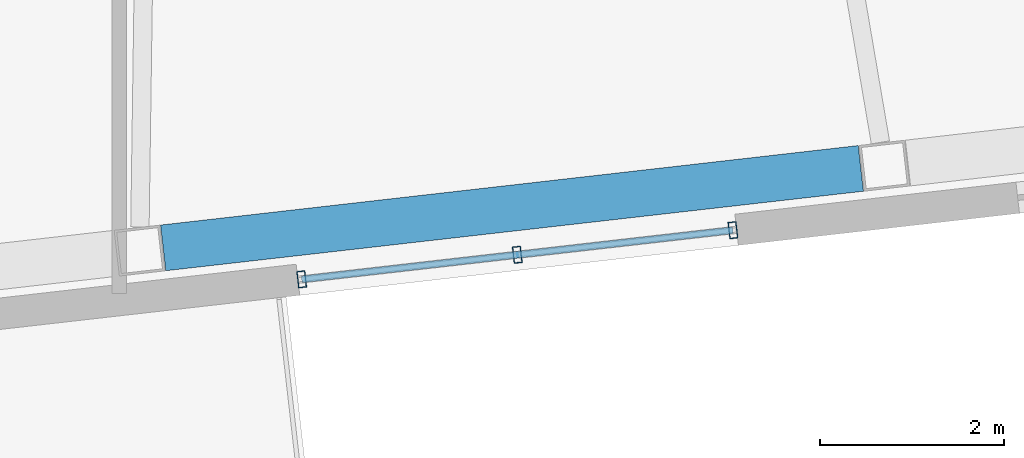
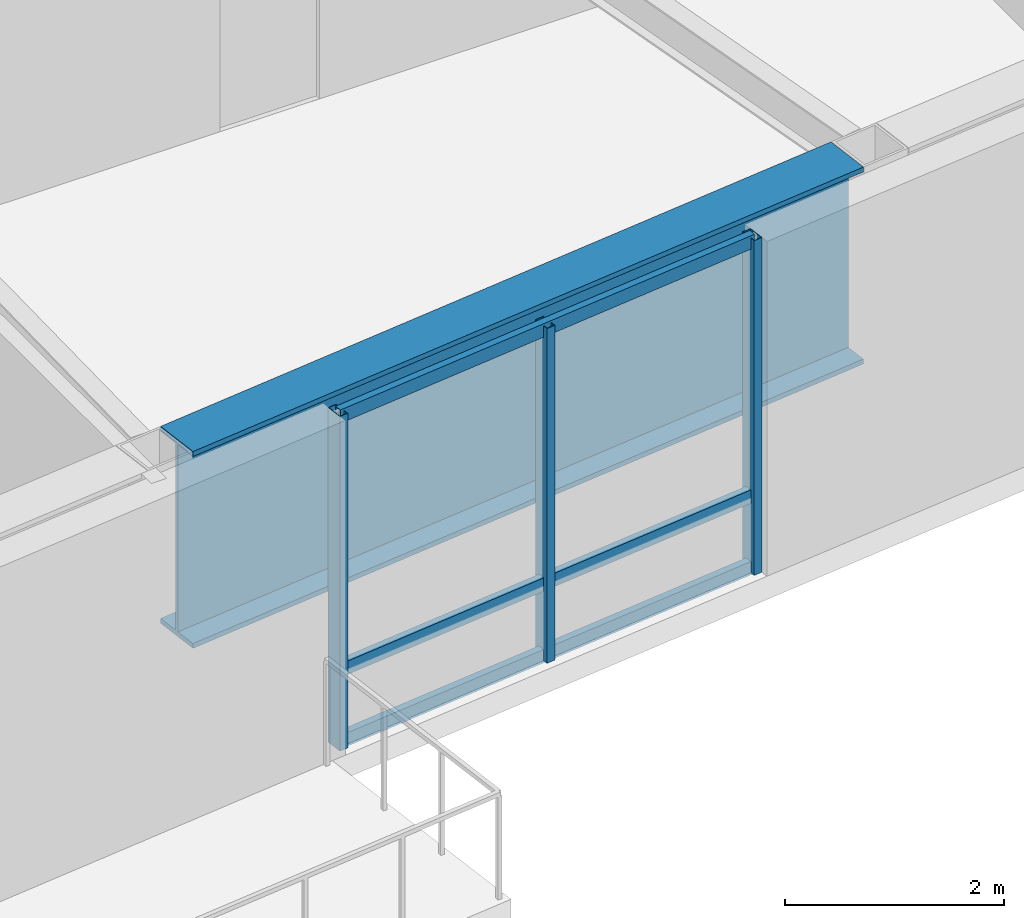
# One storey, part 6 of 20: 6 members, 1 beam, 1 element without a shape of its own.
"""IFC4 building model written with IfcOpenShell, lengths in metres."""

from ifc_helpers import new_model, si_unit, direction, frame, origin, origin_2d, place, context, subcontext, project, spatial, hollow_rectangle, i_section, extrude, material, layer, layer_set, material_profile, profile_set, type_object, element, aggregate, save


model = new_model("IFC4")

# Units and contexts
model_context = context("Model", 3, precision=1e-05, world=origin(), true_north=direction((0.0, 1.0)))
body_context = subcontext(model_context, "Body", "Model", "MODEL_VIEW")
ifc_project = project(units=[si_unit("LENGTHUNIT", "METRE"), si_unit("AREAUNIT", "SQUARE_METRE"), si_unit("VOLUMEUNIT", "CUBIC_METRE"), si_unit("PLANEANGLEUNIT", "RADIAN"), si_unit("MASSUNIT", "GRAM", prefix="KILO")], contexts=[model_context])

# Site, building, storey
site_placement = place(None, origin())
site = spatial("IfcSite", under=ifc_project, at=site_placement, CompositionType="ELEMENT")
building_placement = place(site_placement, origin())
building = spatial("IfcBuilding", under=site, at=building_placement, Name="Tavrogorsk Clinical Tower", CompositionType="ELEMENT")
storey_placement = place(building_placement, frame((0.0, 0.0, 234.199951171875)))
storey = spatial("IfcBuildingStorey", under=building, at=storey_placement, Name="L54", CompositionType="ELEMENT", Elevation=234.199951171875)

# Curtain wall, members
ifc_material_1 = material(Name="Anodised aluminium and triple IGU glazing", Category="aluminium")
ifc_layer = layer(ifc_material_1, 0.179931640625)
ifc_layer_set = layer_set([ifc_layer], Name="Anodised aluminium and triple IGU glazing")
curtain_wall_type = type_object("IfcCurtainWallType", Name="CW3_SouthSlot", PredefinedType="NOTDEFINED", material=ifc_layer_set)
curtain_wall_placement = place(storey_placement, origin())
curtain_wall = element("IfcCurtainWall", 1, at=curtain_wall_placement, inside=storey, type_object=curtain_wall_type, Name="L54 Curtain Wall CW-L54-S-SLOT-2", PredefinedType="NOTDEFINED")
ifc_material_2 = material(Name="Anodised aluminium alloy AW-6060", Category="aluminium")
ifc_material_profile_1 = material_profile(ifc_material_2, hollow_rectangle(XDim=0.090087890625, YDim=0.179931640625, WallThickness=0.00634765625, at=origin_2d()), Name="RHS-180x90x6.3")
ifc_profile_set_1 = profile_set([ifc_material_profile_1], Name="Anodised aluminium alloy AW-6060")
member_type_1 = type_object("IfcMemberType", Name="CwMullion_180x90", PredefinedType="MULLION", material=ifc_profile_set_1)
member_1_placement = place(storey_placement, frame((5.982177734375, -19.42529296875, 0.0), z_axis=(0.0, 0.0, 1.0), x_axis=(0.993571855603, 0.11320321441, 0.0)))
member_1 = element("IfcMember", 2, at=member_1_placement, type_object=member_type_1, Name="CW-L54-S-SLOT-2 Mullion 1", PredefinedType="MULLION", context=body_context, shape_type="SweptSolid", body=[
    extrude(hollow_rectangle(XDim=0.090087890625, YDim=0.179931640625, WallThickness=0.00634765625, at=origin_2d()), origin(), (0.0, 0.0, 1.0), 3.739990234375),
])
member_2_placement = place(storey_placement, frame((8.325927734375, -19.158203125, 0.0), z_axis=(0.0, 0.0, 1.0), x_axis=(0.993571855603, 0.11320321441, 0.0)))
member_2 = element("IfcMember", 3, at=member_2_placement, type_object=member_type_1, Name="CW-L54-S-SLOT-2 Mullion 2", PredefinedType="MULLION", context=body_context, shape_type="SweptSolid", body=[
    extrude(hollow_rectangle(XDim=0.090087890625, YDim=0.179931640625, WallThickness=0.00634765625, at=origin_2d()), origin(), (0.0, 0.0, 1.0), 3.739990234375),
])
member_3_placement = place(storey_placement, frame((10.669677734375, -18.89111328125, 0.0), z_axis=(0.0, 0.0, 1.0), x_axis=(0.993571855603, 0.11320321441, 0.0)))
member_3 = element("IfcMember", 4, at=member_3_placement, type_object=member_type_1, Name="CW-L54-S-SLOT-2 Mullion 3", PredefinedType="MULLION", context=body_context, shape_type="SweptSolid", body=[
    extrude(hollow_rectangle(XDim=0.090087890625, YDim=0.179931640625, WallThickness=0.00634765625, at=origin_2d()), origin(), (0.0, 0.0, 1.0), 3.739990234375),
])
ifc_material_3 = material(Name="Anodised aluminium alloy AW-6060", Category="aluminium")
ifc_material_profile_2 = material_profile(ifc_material_3, hollow_rectangle(XDim=0.074951171875, YDim=0.14990234375, WallThickness=0.0048828125, at=origin_2d()), Name="RHS-150x75x5")
ifc_profile_set_2 = profile_set([ifc_material_profile_2], Name="Anodised aluminium alloy AW-6060")
member_type_2 = type_object("IfcMemberType", Name="CwTransom_150x75", PredefinedType="USERDEFINED", material=ifc_profile_set_2)
member_4_placement = place(storey_placement, frame((5.982177734375, -19.42529296875, 0.050048828125), z_axis=(0.993569315854, 0.113225503286, 0.0), x_axis=(-0.113225503286, 0.993569315854, 0.0)))
member_4 = element("IfcMember", 5, at=member_4_placement, type_object=member_type_2, Name="CW-L54-S-SLOT-2 Transom 1", ObjectType="TRANSOM", PredefinedType="USERDEFINED", context=body_context, shape_type="SweptSolid", body=[
    extrude(hollow_rectangle(XDim=0.074951171875, YDim=0.14990234375, WallThickness=0.0048828125, at=origin_2d()), origin(), (0.0, 0.0, 1.0), 4.7177734375),
])
member_5_placement = place(storey_placement, frame((5.982177734375, -19.42529296875, 0.85009765625), z_axis=(0.993569315854, 0.113225503286, 0.0), x_axis=(-0.113225503286, 0.993569315854, 0.0)))
member_5 = element("IfcMember", 6, at=member_5_placement, type_object=member_type_2, Name="CW-L54-S-SLOT-2 Transom 2", ObjectType="TRANSOM", PredefinedType="USERDEFINED", context=body_context, shape_type="SweptSolid", body=[
    extrude(hollow_rectangle(XDim=0.074951171875, YDim=0.14990234375, WallThickness=0.0048828125, at=origin_2d()), origin(), (0.0, 0.0, 1.0), 4.7177734375),
])
member_6_placement = place(storey_placement, frame((5.982177734375, -19.42529296875, 3.68994140625), z_axis=(0.993569315854, 0.113225503286, 0.0), x_axis=(-0.113225503286, 0.993569315854, 0.0)))
member_6 = element("IfcMember", 7, at=member_6_placement, type_object=member_type_2, Name="CW-L54-S-SLOT-2 Transom 3", ObjectType="TRANSOM", PredefinedType="USERDEFINED", context=body_context, shape_type="SweptSolid", body=[
    extrude(hollow_rectangle(XDim=0.074951171875, YDim=0.14990234375, WallThickness=0.0048828125, at=origin_2d()), origin(), (0.0, 0.0, 1.0), 4.7177734375),
])
aggregate(curtain_wall, [member_1, member_2, member_3, member_4, member_5, member_6])

# Beam
ifc_material_4 = material(Name="Structural steel S440", Category="steel")
ifc_material_profile_3 = material_profile(ifc_material_4, i_section(OverallWidth=0.5, OverallDepth=2.199951171875, WebThickness=0.035888671875, FlangeThickness=0.054931640625, at=origin_2d()), Name="DK-2200x500x36x55")
ifc_profile_set_3 = profile_set([ifc_material_profile_3], Name="Structural steel S440")
beam_type = type_object("IfcBeamType", Name="TransferGirder_DK2200", PredefinedType="USERDEFINED", material=ifc_profile_set_3)
beam_placement = place(storey_placement, frame((4.476318359375, -19.08349609375, 2.64013671875), z_axis=(0.993572509708, 0.113197473259, 0.0), x_axis=(-0.113197473259, 0.993572509708, 0.0)))
element("IfcBeam", 8, at=beam_placement, inside=storey, type_object=beam_type, Name="L54 Perimeter Spandrel S5-S6", ObjectType="GIRDER", PredefinedType="USERDEFINED", context=body_context, shape_type="SweptSolid", body=[
    extrude(i_section(OverallWidth=0.5, OverallDepth=2.199951171875, WebThickness=0.035888671875, FlangeThickness=0.054931640625, at=origin_2d()), origin(), (0.0, 0.0, 1.0), 7.6328125),
])

save(model, "model.ifc")
